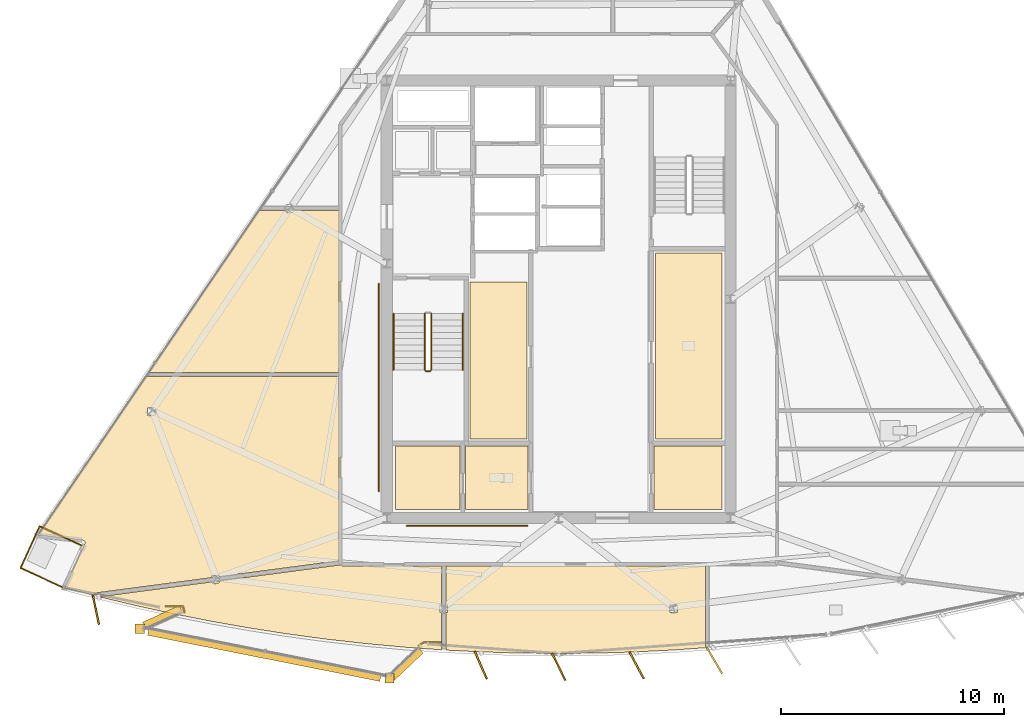
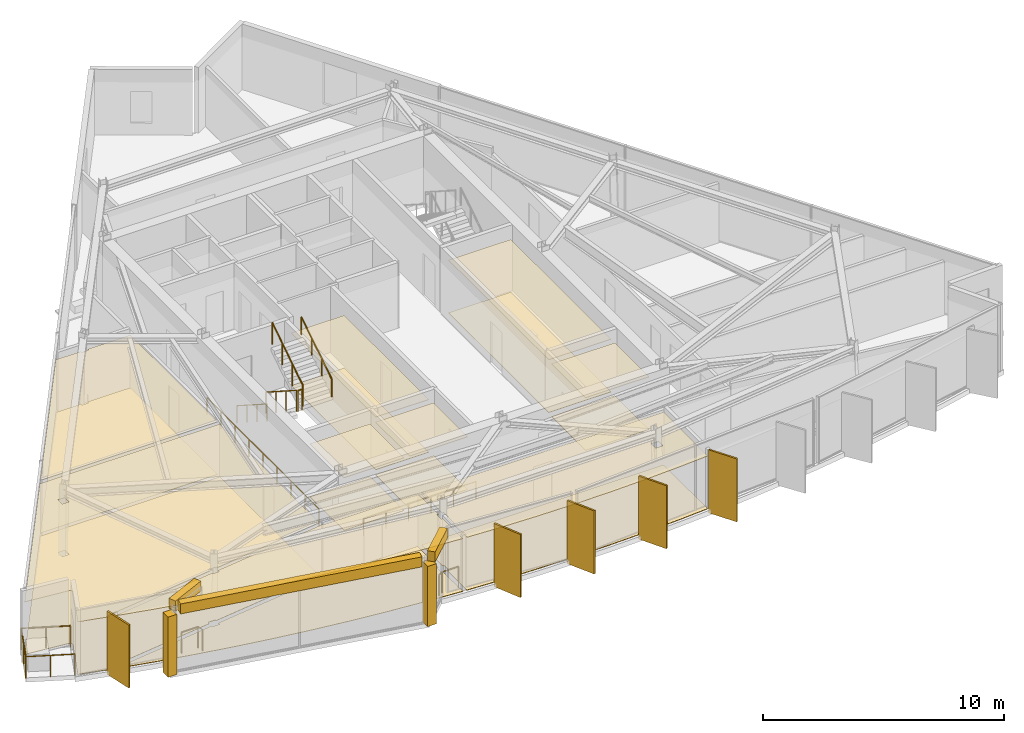
# One storey, part 10 of 13: 23 coverings, 12 railings, 5 shading devices.
"""IFC4 building model written with IfcOpenShell, lengths in metres."""

from ifc_helpers import new_model, si_unit, direction, frame, origin, origin_2d, place, context, subcontext, project, spatial, polyline, rectangle, circle, outline, extrude, material, layer, layer_set, type_object, element, save


model = new_model("IFC4")

# Units and contexts
model_context = context("Model", 3, precision=1e-05, world=origin(), true_north=direction((0.0, 1.0)))
body_context = subcontext(model_context, "Body", "Model", "MODEL_VIEW")
ifc_project = project(units=[si_unit("LENGTHUNIT", "METRE"), si_unit("AREAUNIT", "SQUARE_METRE"), si_unit("VOLUMEUNIT", "CUBIC_METRE"), si_unit("PLANEANGLEUNIT", "RADIAN"), si_unit("MASSUNIT", "GRAM", prefix="KILO")], contexts=[model_context])

# Site, building, storey
site_placement = place(None, origin())
site = spatial("IfcSite", under=ifc_project, at=site_placement, CompositionType="ELEMENT")
building_placement = place(site_placement, origin())
building = spatial("IfcBuilding", under=site, at=building_placement, Name="Savorim Split Tower", CompositionType="ELEMENT")
storey_placement = place(building_placement, frame((0.0, 0.0, 276.0)))
storey = spatial("IfcBuildingStorey", under=building, at=storey_placement, Name="L73", CompositionType="ELEMENT", Elevation=276.0)

# Coverings
ifc_material_1 = material(Name="Mineral Fibre Acoustic Ceiling")
ifc_layer_1 = layer(ifc_material_1, 0.02490234375)
ifc_layer_set_1 = layer_set([ifc_layer_1], Name="COV-CEIL-25")
covering_type_1 = type_object("IfcCoveringType", Name="COV-CEIL-25", PredefinedType="CEILING", material=ifc_layer_set_1)
covering_1_placement = place(storey_placement, frame((0.0, 0.0, 2.669921875)))
element("IfcCovering", 1, at=covering_1_placement, inside=storey, type_object=covering_type_1, Name="L73 Community Laundry Room Acoustic Ceiling", PredefinedType="CEILING", context=body_context, shape_type="SweptSolid", body=[
    extrude(outline(polyline([(4.330078125, 2.469970703125), (4.330078125, -5.8701171875), (7.320068359375, -5.8701171875), (7.320068359375, 2.469970703125), (4.330078125, 2.469970703125)])), origin(), (0.0, 0.0, 1.0), 0.025146484375),
])
covering_2_placement = place(storey_placement, frame((0.0, 0.0, 2.669921875)))
element("IfcCovering", 2, at=covering_2_placement, inside=storey, type_object=covering_type_1, Name="L73 Quiet Study Room Acoustic Ceiling", PredefinedType="CEILING", context=body_context, shape_type="SweptSolid", body=[
    extrude(outline(polyline([(-3.969970703125, 1.169921875), (-3.969970703125, -5.8701171875), (-1.429931640625, -5.8701171875), (-1.429931640625, 1.169921875), (-3.969970703125, 1.169921875)])), origin(), (0.0, 0.0, 1.0), 0.025146484375),
])
covering_3_placement = place(storey_placement, frame((0.0, 0.0, 2.669921875)))
element("IfcCovering", 3, at=covering_3_placement, inside=storey, type_object=covering_type_1, Name="L73 Housekeeping Store Acoustic Ceiling", PredefinedType="CEILING", context=body_context, shape_type="SweptSolid", body=[
    extrude(outline(polyline([(-7.320068359375, -6.179931640625), (-7.320068359375, -9.02001953125), (-4.429931640625, -9.02001953125), (-4.429931640625, -6.179931640625), (-7.320068359375, -6.179931640625)])), origin(), (0.0, 0.0, 1.0), 0.025146484375),
])
covering_4_placement = place(storey_placement, frame((0.0, 0.0, 2.669921875)))
element("IfcCovering", 4, at=covering_4_placement, inside=storey, type_object=covering_type_1, Name="L73 Accessible WC Acoustic Ceiling", PredefinedType="CEILING", context=body_context, shape_type="SweptSolid", body=[
    extrude(outline(polyline([(-4.169921875, -6.179931640625), (-4.169921875, -9.02001953125), (-1.3798828125, -9.02001953125), (-1.3798828125, -6.179931640625), (-4.169921875, -6.179931640625)])), origin(), (0.0, 0.0, 1.0), 0.025146484375),
])
covering_5_placement = place(storey_placement, frame((0.0, 0.0, 2.669921875)))
element("IfcCovering", 5, at=covering_5_placement, inside=storey, type_object=covering_type_1, Name="L73 Core IT Server Room Acoustic Ceiling", PredefinedType="CEILING", context=body_context, shape_type="SweptSolid", body=[
    extrude(outline(polyline([(4.280029296875, -6.179931640625), (4.280029296875, -9.02001953125), (7.320068359375, -9.02001953125), (7.320068359375, -6.179931640625), (4.280029296875, -6.179931640625)])), origin(), (0.0, 0.0, 1.0), 0.025146484375),
])
covering_6_placement = place(storey_placement, frame((0.0, 0.0, 2.669921875)))
element("IfcCovering", 6, at=covering_6_placement, inside=storey, type_object=covering_type_1, Name="L73 Quiet Study Room Acoustic Ceiling", PredefinedType="CEILING", context=body_context, shape_type="SweptSolid", body=[
    extrude(outline(polyline([(-13.29638671875, 4.377197265625), (-13.391357421875, 4.377197265625), (-13.391357421875, 4.42138671875), (-18.35546875, -2.87548828125), (-9.840087890625, -2.87548828125), (-9.840087890625, 4.377197265625), (-11.88671875, 4.377197265625), (-11.88671875, 4.297119140625), (-12.215576171875, 4.297119140625), (-12.215576171875, 4.377197265625), (-13.29638671875, 4.377197265625)])), origin(), (0.0, 0.0, 1.0), 0.025146484375),
])
covering_7_placement = place(storey_placement, frame((0.0, 0.0, 2.669921875)))
element("IfcCovering", 7, at=covering_7_placement, inside=storey, type_object=covering_type_1, Name="L73 Co-Working Commons Acoustic Ceiling", PredefinedType="CEILING", context=body_context, shape_type="SweptSolid", body=[
    extrude(outline(polyline([(-21.21337890625, -10.5068359375), (-21.21337890625, -10.518798828125), (-21.214111328125, -10.530517578125), (-21.21630859375, -10.54248046875), (-21.2197265625, -10.5537109375), (-21.22412109375, -10.56494140625), (-22.125244140625, -12.526123046875), (-20.7880859375, -12.875732421875), (-20.802490234375, -12.7666015625), (-15.535888671875, -12.070556640625), (-15.535888671875, -11.9697265625), (-15.206787109375, -11.9697265625), (-15.206787109375, -12.027099609375), (-9.8515625, -11.319580078125), (-9.840087890625, -11.318115234375), (-9.840087890625, -3.065673828125), (-18.484619140625, -3.065673828125), (-23.3193359375, -10.172119140625), (-21.31982421875, -10.3955078125), (-21.30810546875, -10.3974609375), (-21.296630859375, -10.400390625), (-21.285400390625, -10.40478515625), (-21.274658203125, -10.409912109375), (-21.2646484375, -10.41650390625), (-21.255126953125, -10.423583984375), (-21.24658203125, -10.431884765625), (-21.23876953125, -10.44091796875), (-21.231689453125, -10.45068359375), (-21.225830078125, -10.4609375), (-21.22119140625, -10.471923828125), (-21.21728515625, -10.4833984375), (-21.21484375, -10.494873046875), (-21.21337890625, -10.5068359375)]), holes=[polyline([(-18.413818359375, -4.814208984375), (-18.084716796875, -4.814208984375), (-18.084716796875, -4.464111328125), (-18.413818359375, -4.464111328125), (-18.413818359375, -4.814208984375)])]), origin(), (0.0, 0.0, 1.0), 0.025146484375),
])
covering_8_placement = place(storey_placement, frame((0.0, 0.0, 2.669921875)))
element("IfcCovering", 8, at=covering_8_placement, inside=storey, type_object=covering_type_1, Name="L73 Communal Lounge Acoustic Ceiling", PredefinedType="CEILING", context=body_context, shape_type="SweptSolid", body=[
    extrude(outline(polyline([(-12.088623046875, -14.601806640625), (-10.37109375, -14.83154296875), (-8.649169921875, -15.026123046875), (-6.923583984375, -15.185546875), (-5.24658203125, -15.305908203125), (-5.24658203125, -13.631591796875), (-5.316162109375, -13.631591796875), (-5.316162109375, -13.28173828125), (-5.24658203125, -13.28173828125), (-5.24658203125, -11.5400390625), (-9.699951171875, -11.5400390625), (-9.713623046875, -11.539306640625), (-9.727294921875, -11.537353515625), (-9.740478515625, -11.533935546875), (-9.753662109375, -11.529296875), (-9.76611328125, -11.5234375), (-9.77783203125, -11.516357421875), (-9.788818359375, -11.50830078125), (-9.7939453125, -11.503662109375), (-15.206787109375, -12.21875), (-15.206787109375, -12.319580078125), (-15.535888671875, -12.319580078125), (-15.535888671875, -12.26220703125), (-20.58349609375, -12.92919921875), (-18.90087890625, -13.332763671875), (-17.2080078125, -13.7021484375), (-15.5078125, -14.036865234375), (-13.801025390625, -14.3369140625), (-12.088623046875, -14.601806640625)])), origin(), (0.0, 0.0, 1.0), 0.025146484375),
])
covering_9_placement = place(storey_placement, frame((0.0, 0.0, 2.669921875)))
element("IfcCovering", 9, at=covering_9_placement, inside=storey, type_object=covering_type_1, Name="L73 Quiet Study Room Acoustic Ceiling", PredefinedType="CEILING", context=body_context, shape_type="SweptSolid", body=[
    extrude(outline(polyline([(1.732666015625, -15.451171875), (3.46484375, -15.398193359375), (5.1953125, -15.3095703125), (6.56640625, -15.211181640625), (6.56640625, -11.5400390625), (-5.056640625, -11.5400390625), (-5.056640625, -13.28173828125), (-4.9873046875, -13.28173828125), (-4.9873046875, -13.631591796875), (-5.056640625, -13.631591796875), (-5.056640625, -15.26171875), (-5.056640625, -15.316650390625), (-3.46484375, -15.398193359375), (-1.732666015625, -15.451171875), (0.0, -15.468994140625), (1.732666015625, -15.451171875)]), holes=[polyline([(4.9873046875, -13.631591796875), (5.316162109375, -13.631591796875), (5.316162109375, -13.28173828125), (4.9873046875, -13.28173828125), (4.9873046875, -13.631591796875)])]), origin(), (0.0, 0.0, 1.0), 0.025146484375),
])
ifc_material_2 = material(Name="Porcelain Stoneware Flooring", Category="masonry")
ifc_layer_2 = layer(ifc_material_2, 0.02001953125)
ifc_layer_set_2 = layer_set([ifc_layer_2], Name="COV-FLOR-20")
covering_type_2 = type_object("IfcCoveringType", Name="COV-FLOR-20", PredefinedType="FLOORING", material=ifc_layer_set_2)
covering_10_placement = place(storey_placement, origin())
element("IfcCovering", 10, at=covering_10_placement, inside=storey, type_object=covering_type_2, Name="L73 Community Laundry Room Porcelain Flooring", PredefinedType="FLOORING", context=body_context, shape_type="SweptSolid", body=[
    extrude(outline(polyline([(4.330078125, 2.469970703125), (4.330078125, -5.8701171875), (7.320068359375, -5.8701171875), (7.320068359375, 2.469970703125), (4.330078125, 2.469970703125)])), origin(), (0.0, 0.0, 1.0), 0.02001953125),
])
covering_11_placement = place(storey_placement, origin())
element("IfcCovering", 11, at=covering_11_placement, inside=storey, type_object=covering_type_2, Name="L73 Quiet Study Room Porcelain Flooring", PredefinedType="FLOORING", context=body_context, shape_type="SweptSolid", body=[
    extrude(outline(polyline([(-3.969970703125, 1.169921875), (-3.969970703125, -5.8701171875), (-1.429931640625, -5.8701171875), (-1.429931640625, 1.169921875), (-3.969970703125, 1.169921875)])), origin(), (0.0, 0.0, 1.0), 0.02001953125),
])
covering_12_placement = place(storey_placement, origin())
element("IfcCovering", 12, at=covering_12_placement, inside=storey, type_object=covering_type_2, Name="L73 Housekeeping Store Porcelain Flooring", PredefinedType="FLOORING", context=body_context, shape_type="SweptSolid", body=[
    extrude(outline(polyline([(-7.320068359375, -6.179931640625), (-7.320068359375, -9.02001953125), (-4.429931640625, -9.02001953125), (-4.429931640625, -6.179931640625), (-7.320068359375, -6.179931640625)])), origin(), (0.0, 0.0, 1.0), 0.02001953125),
])
covering_13_placement = place(storey_placement, origin())
element("IfcCovering", 13, at=covering_13_placement, inside=storey, type_object=covering_type_2, Name="L73 Accessible WC Porcelain Flooring", PredefinedType="FLOORING", context=body_context, shape_type="SweptSolid", body=[
    extrude(outline(polyline([(-4.169921875, -6.179931640625), (-4.169921875, -9.02001953125), (-1.3798828125, -9.02001953125), (-1.3798828125, -6.179931640625), (-4.169921875, -6.179931640625)])), origin(), (0.0, 0.0, 1.0), 0.02001953125),
])
covering_14_placement = place(storey_placement, origin())
element("IfcCovering", 14, at=covering_14_placement, inside=storey, type_object=covering_type_2, Name="L73 Core IT Server Room Porcelain Flooring", PredefinedType="FLOORING", context=body_context, shape_type="SweptSolid", body=[
    extrude(outline(polyline([(4.280029296875, -6.179931640625), (4.280029296875, -9.02001953125), (7.320068359375, -9.02001953125), (7.320068359375, -6.179931640625), (4.280029296875, -6.179931640625)])), origin(), (0.0, 0.0, 1.0), 0.02001953125),
])
covering_15_placement = place(storey_placement, origin())
element("IfcCovering", 15, at=covering_15_placement, inside=storey, type_object=covering_type_2, Name="L73 Quiet Study Room Porcelain Flooring", PredefinedType="FLOORING", context=body_context, shape_type="SweptSolid", body=[
    extrude(outline(polyline([(-13.29638671875, 4.377197265625), (-13.391357421875, 4.377197265625), (-13.391357421875, 4.42138671875), (-18.35546875, -2.87548828125), (-9.840087890625, -2.87548828125), (-9.840087890625, 4.377197265625), (-11.88671875, 4.377197265625), (-11.88671875, 4.297119140625), (-12.215576171875, 4.297119140625), (-12.215576171875, 4.377197265625), (-13.29638671875, 4.377197265625)])), origin(), (0.0, 0.0, 1.0), 0.02001953125),
])
covering_16_placement = place(storey_placement, origin())
element("IfcCovering", 16, at=covering_16_placement, inside=storey, type_object=covering_type_2, Name="L73 Co-Working Commons Porcelain Flooring", PredefinedType="FLOORING", context=body_context, shape_type="SweptSolid", body=[
    extrude(outline(polyline([(-21.21337890625, -10.5068359375), (-21.21337890625, -10.518798828125), (-21.214111328125, -10.530517578125), (-21.21630859375, -10.54248046875), (-21.2197265625, -10.5537109375), (-21.22412109375, -10.56494140625), (-22.125244140625, -12.526123046875), (-20.7880859375, -12.875732421875), (-20.802490234375, -12.7666015625), (-15.535888671875, -12.070556640625), (-15.535888671875, -11.9697265625), (-15.206787109375, -11.9697265625), (-15.206787109375, -12.027099609375), (-9.8515625, -11.319580078125), (-9.840087890625, -11.318115234375), (-9.840087890625, -3.065673828125), (-18.484619140625, -3.065673828125), (-23.3193359375, -10.172119140625), (-21.31982421875, -10.3955078125), (-21.30810546875, -10.3974609375), (-21.296630859375, -10.400390625), (-21.285400390625, -10.40478515625), (-21.274658203125, -10.409912109375), (-21.2646484375, -10.41650390625), (-21.255126953125, -10.423583984375), (-21.24658203125, -10.431884765625), (-21.23876953125, -10.44091796875), (-21.231689453125, -10.45068359375), (-21.225830078125, -10.4609375), (-21.22119140625, -10.471923828125), (-21.21728515625, -10.4833984375), (-21.21484375, -10.494873046875), (-21.21337890625, -10.5068359375)]), holes=[polyline([(-18.413818359375, -4.814208984375), (-18.084716796875, -4.814208984375), (-18.084716796875, -4.464111328125), (-18.413818359375, -4.464111328125), (-18.413818359375, -4.814208984375)])]), origin(), (0.0, 0.0, 1.0), 0.02001953125),
])
covering_17_placement = place(storey_placement, origin())
element("IfcCovering", 17, at=covering_17_placement, inside=storey, type_object=covering_type_2, Name="L73 Communal Lounge Porcelain Flooring", PredefinedType="FLOORING", context=body_context, shape_type="SweptSolid", body=[
    extrude(outline(polyline([(-12.088623046875, -14.601806640625), (-10.37109375, -14.83154296875), (-8.649169921875, -15.026123046875), (-6.923583984375, -15.185546875), (-5.24658203125, -15.305908203125), (-5.24658203125, -13.631591796875), (-5.316162109375, -13.631591796875), (-5.316162109375, -13.28173828125), (-5.24658203125, -13.28173828125), (-5.24658203125, -11.5400390625), (-9.699951171875, -11.5400390625), (-9.713623046875, -11.539306640625), (-9.727294921875, -11.537353515625), (-9.740478515625, -11.533935546875), (-9.753662109375, -11.529296875), (-9.76611328125, -11.5234375), (-9.77783203125, -11.516357421875), (-9.788818359375, -11.50830078125), (-9.7939453125, -11.503662109375), (-15.206787109375, -12.21875), (-15.206787109375, -12.319580078125), (-15.535888671875, -12.319580078125), (-15.535888671875, -12.26220703125), (-20.58349609375, -12.92919921875), (-18.90087890625, -13.332763671875), (-17.2080078125, -13.7021484375), (-15.5078125, -14.036865234375), (-13.801025390625, -14.3369140625), (-12.088623046875, -14.601806640625)])), origin(), (0.0, 0.0, 1.0), 0.02001953125),
])
covering_18_placement = place(storey_placement, origin())
element("IfcCovering", 18, at=covering_18_placement, inside=storey, type_object=covering_type_2, Name="L73 Quiet Study Room Porcelain Flooring", PredefinedType="FLOORING", context=body_context, shape_type="SweptSolid", body=[
    extrude(outline(polyline([(1.732666015625, -15.451171875), (3.46484375, -15.398193359375), (5.1953125, -15.3095703125), (6.56640625, -15.211181640625), (6.56640625, -11.5400390625), (-5.056640625, -11.5400390625), (-5.056640625, -13.28173828125), (-4.9873046875, -13.28173828125), (-4.9873046875, -13.631591796875), (-5.056640625, -13.631591796875), (-5.056640625, -15.26171875), (-5.056640625, -15.316650390625), (-3.46484375, -15.398193359375), (-1.732666015625, -15.451171875), (0.0, -15.468994140625), (1.732666015625, -15.451171875)]), holes=[polyline([(4.9873046875, -13.631591796875), (5.316162109375, -13.631591796875), (5.316162109375, -13.28173828125), (4.9873046875, -13.28173828125), (4.9873046875, -13.631591796875)])]), origin(), (0.0, 0.0, 1.0), 0.02001953125),
])
ifc_material_3 = material(Name="White Porcelain Architectural Cladding")
ifc_layer_3 = layer(ifc_material_3, 0.139892578125)
ifc_layer_set_3 = layer_set([ifc_layer_3], Name="COV-FRM-WHITE")
covering_type_3 = type_object("IfcCoveringType", Name="COV-FRM-WHITE", PredefinedType="CLADDING", material=ifc_layer_set_3)
covering_19_placement = place(storey_placement, frame((0.0, 0.0, 3.080078125)))
element("IfcCovering", 19, at=covering_19_placement, inside=storey, type_object=covering_type_3, Name="L73 Cantilevered Lounge White Upper Cornice Band W", PredefinedType="CLADDING", context=body_context, shape_type="SweptSolid", body=[
    extrude(outline(polyline([(-16.992431640625, -13.326416015625), (-18.634765625, -14.06298828125), (-18.49560546875, -14.373291015625), (-16.853271484375, -13.636474609375), (-16.992431640625, -13.326416015625)])), origin(), (0.0, 0.0, 1.0), 0.510009765625),
])
covering_20_placement = place(storey_placement, frame((0.0, 0.0, 3.080078125)))
element("IfcCovering", 20, at=covering_20_placement, inside=storey, type_object=covering_type_3, Name="L73 Cantilevered Lounge White Upper Cornice Band F", PredefinedType="CLADDING", context=body_context, shape_type="SweptSolid", body=[
    extrude(outline(polyline([(-18.414306640625, -14.655517578125), (-8.013916015625, -16.717529296875), (-7.94775390625, -16.384033203125), (-18.34814453125, -14.322021484375), (-18.414306640625, -14.655517578125)])), origin(), (0.0, 0.0, 1.0), 0.510009765625),
])
covering_21_placement = place(storey_placement, frame((0.0, 0.0, 3.080078125)))
element("IfcCovering", 21, at=covering_21_placement, inside=storey, type_object=covering_type_3, Name="L73 Cantilevered Lounge White Upper Cornice Band E", PredefinedType="CLADDING", context=body_context, shape_type="SweptSolid", body=[
    extrude(outline(polyline([(-7.369140625, -16.68408203125), (-6.0625, -15.4462890625), (-6.29638671875, -15.199462890625), (-7.60302734375, -16.4375), (-7.369140625, -16.68408203125)])), origin(), (0.0, 0.0, 1.0), 0.510009765625),
])
covering_22_placement = place(storey_placement, frame((0.0, 0.0, 0.010009765625)))
element("IfcCovering", 22, at=covering_22_placement, inside=storey, type_object=covering_type_3, Name="L73 Cantilevered Lounge White Frame Corner Post 1", PredefinedType="CLADDING", context=body_context, shape_type="SweptSolid", body=[
    extrude(outline(polyline([(-18.973876953125, -14.572021484375), (-18.5537109375, -14.572021484375), (-18.5537109375, -14.15185546875), (-18.973876953125, -14.15185546875), (-18.973876953125, -14.572021484375)])), origin(), (0.0, 0.0, 1.0), 3.050048828125),
])
covering_23_placement = place(storey_placement, frame((0.0, 0.0, 0.010009765625)))
element("IfcCovering", 23, at=covering_23_placement, inside=storey, type_object=covering_type_3, Name="L73 Cantilevered Lounge White Frame Corner Post 2", PredefinedType="CLADDING", context=body_context, shape_type="SweptSolid", body=[
    extrude(outline(polyline([(-7.78857421875, -16.78955078125), (-7.36865234375, -16.78955078125), (-7.36865234375, -16.369384765625), (-7.78857421875, -16.369384765625), (-7.78857421875, -16.78955078125)])), origin(), (0.0, 0.0, 1.0), 3.050048828125),
])

# Railings
ifc_material_4 = material(Name="Galvanised Painted Steel Balustrade", Category="steel")
railing_type_1 = type_object("IfcRailingType", Name="RLG-BAL-1100", PredefinedType="BALUSTRADE", material=ifc_material_4)
railing_1_placement = place(storey_placement, frame((-17.609375, -13.34423828125, 0.0)))
element("IfcRailing", 24, at=railing_1_placement, inside=storey, type_object=railing_type_1, Name="L73 Cantilevered Lounge West Edge Closure Guard", PredefinedType="BALUSTRADE", context=body_context, shape_type="SweptSolid", body=[
    extrude(circle(Radius=0.02392578125, at=origin_2d()), frame((0.0, 0.0, 1.076171875), z_axis=(1.0, 0.0, 0.0), x_axis=(0.0, 1.0, 0.0)), (0.0, 0.0, 1.0), 0.780029296875),
    extrude(circle(Radius=0.02392578125, at=origin_2d()), frame((0.780029296875, 0.0, 1.076171875), z_axis=(0.240297760194, -0.970699225531, 0.0), x_axis=(0.970699225531, 0.240297760194, 0.0)), (0.0, 0.0, 1.0), 0.282470703125),
    extrude(circle(Radius=0.02099609375, at=origin_2d()), origin(), (0.0, 0.0, 1.0), 1.052001953125),
    extrude(circle(Radius=0.02099609375, at=origin_2d()), frame((0.780029296875, 0.0, 0.0)), (0.0, 0.0, 1.0), 1.052001953125),
    extrude(circle(Radius=0.02099609375, at=origin_2d()), frame((0.847900390625, -0.274169921875, 0.0)), (0.0, 0.0, 1.0), 1.052001953125),
])
railing_2_placement = place(storey_placement, frame((-6.2666015625, -15.10400390625, 0.0)))
element("IfcRailing", 25, at=railing_2_placement, inside=storey, type_object=railing_type_1, Name="L73 Cantilevered Lounge East Edge Closure Guard", PredefinedType="BALUSTRADE", context=body_context, shape_type="SweptSolid", body=[
    extrude(circle(Radius=0.02392578125, at=origin_2d()), frame((0.0, 0.0, 1.076171875), z_axis=(0.86357675765, 0.504217397208, 0.0), x_axis=(-0.504217397208, 0.86357675765, 0.0)), (0.0, 0.0, 1.0), 0.262939453125),
    extrude(circle(Radius=0.02392578125, at=origin_2d()), frame((0.22705078125, 0.132568359375, 1.076171875), z_axis=(1.0, 0.0, 0.0), x_axis=(0.0, 1.0, 0.0)), (0.0, 0.0, 1.0), 0.780029296875),
    extrude(circle(Radius=0.02099609375, at=origin_2d()), origin(), (0.0, 0.0, 1.0), 1.052001953125),
    extrude(circle(Radius=0.02099609375, at=origin_2d()), frame((0.22705078125, 0.132568359375, 0.0)), (0.0, 0.0, 1.0), 1.052001953125),
    extrude(circle(Radius=0.02099609375, at=origin_2d()), frame((1.007080078125, 0.132568359375, 0.0)), (0.0, 0.0, 1.0), 1.052001953125),
])
railing_3_placement = place(storey_placement, frame((-22.243896484375, -12.4970703125, 0.0)))
element("IfcRailing", 26, at=railing_3_placement, inside=storey, type_object=railing_type_1, Name="L73 Tree Balcony Guardrail SW-1", PredefinedType="BALUSTRADE", context=body_context, shape_type="SweptSolid", body=[
    extrude(circle(Radius=0.02392578125, at=origin_2d()), frame((0.0, 0.0, 1.076171875), z_axis=(-0.908662190505, 0.417532062898, 0.0), x_axis=(-0.417532062898, -0.908662190505, 0.0)), (0.0, 0.0, 1.0), 2.050048828125),
    extrude(circle(Radius=0.02099609375, at=origin_2d()), origin(), (0.0, 0.0, 1.0), 1.052001953125),
    extrude(circle(Radius=0.02099609375, at=origin_2d()), frame((-0.931396484375, 0.427978515625, 0.0)), (0.0, 0.0, 1.0), 1.052001953125),
    extrude(circle(Radius=0.02099609375, at=origin_2d()), frame((-1.86279296875, 0.85595703125, 0.0)), (0.0, 0.0, 1.0), 1.052001953125),
])
railing_4_placement = place(storey_placement, frame((-24.106689453125, -11.64111328125, 0.0)))
element("IfcRailing", 27, at=railing_4_placement, inside=storey, type_object=railing_type_1, Name="L73 Tree Balcony Guardrail SW-2", PredefinedType="BALUSTRADE", context=body_context, shape_type="SweptSolid", body=[
    extrude(circle(Radius=0.02392578125, at=origin_2d()), frame((0.0, 0.0, 1.076171875), z_axis=(0.417457885671, 0.908696271419, 0.0), x_axis=(-0.908696271419, 0.417457885671, 0.0)), (0.0, 0.0, 1.0), 2.0615234375),
    extrude(circle(Radius=0.02099609375, at=origin_2d()), origin(), (0.0, 0.0, 1.0), 1.052001953125),
    extrude(circle(Radius=0.02099609375, at=origin_2d()), frame((0.43017578125, 0.9365234375, 0.0)), (0.0, 0.0, 1.0), 1.052001953125),
    extrude(circle(Radius=0.02099609375, at=origin_2d()), frame((0.860595703125, 1.873291015625, 0.0)), (0.0, 0.0, 1.0), 1.052001953125),
])
railing_5_placement = place(storey_placement, frame((-23.24609375, -9.767822265625, 0.0)))
element("IfcRailing", 28, at=railing_5_placement, inside=storey, type_object=railing_type_1, Name="L73 Tree Balcony Guardrail SW-3", PredefinedType="BALUSTRADE", context=body_context, shape_type="SweptSolid", body=[
    extrude(circle(Radius=0.02392578125, at=origin_2d()), frame((0.0, 0.0, 1.076171875), z_axis=(0.908662190505, -0.417532062898, 0.0), x_axis=(0.417532062898, 0.908662190505, 0.0)), (0.0, 0.0, 1.0), 2.050048828125),
    extrude(circle(Radius=0.02099609375, at=origin_2d()), origin(), (0.0, 0.0, 1.0), 1.052001953125),
    extrude(circle(Radius=0.02099609375, at=origin_2d()), frame((0.931396484375, -0.427978515625, 0.0)), (0.0, 0.0, 1.0), 1.052001953125),
    extrude(circle(Radius=0.02099609375, at=origin_2d()), frame((1.86279296875, -0.85595703125, 0.0)), (0.0, 0.0, 1.0), 1.052001953125),
])
railing_type_2 = type_object("IfcRailingType", Name="RLG-HR-900", PredefinedType="HANDRAIL", material=ifc_material_4)
railing_6_placement = place(storey_placement, frame((-7.39990234375, -0.25, 0.179931640625)))
element("IfcRailing", 29, at=railing_6_placement, inside=storey, type_object=railing_type_2, Name="L73 ST-1 stair handrail 1", PredefinedType="HANDRAIL", context=body_context, shape_type="SweptSolid", body=[
    extrude(circle(Radius=0.02392578125, at=origin_2d()), frame((0.0, 0.0, 0.8759765625), z_axis=(0.0, -0.841162588446, 0.540782303519), x_axis=(1.0, 0.0, 0.0)), (0.0, 0.0, 1.0), 2.995849609375),
    extrude(circle(Radius=0.02099609375, at=origin_2d()), origin(), (0.0, 0.0, 1.0), 0.851806640625),
    extrude(circle(Radius=0.02099609375, at=origin_2d()), frame((0.0, -0.840087890625, 0.5400390625)), (0.0, 0.0, 1.0), 0.851806640625),
    extrude(circle(Radius=0.02099609375, at=origin_2d()), frame((0.0, -1.679931640625, 1.080078125)), (0.0, 0.0, 1.0), 0.851806640625),
    extrude(circle(Radius=0.02099609375, at=origin_2d()), frame((0.0, -2.52001953125, 1.6201171875)), (0.0, 0.0, 1.0), 0.851806640625),
])
railing_7_placement = place(storey_placement, frame((-4.300048828125, -2.77001953125, 1.97998046875)))
element("IfcRailing", 30, at=railing_7_placement, inside=storey, type_object=railing_type_2, Name="L73 ST-1 stair handrail 2", PredefinedType="HANDRAIL", context=body_context, shape_type="SweptSolid", body=[
    extrude(circle(Radius=0.02392578125, at=origin_2d()), frame((0.0, 0.0, 0.8759765625), z_axis=(0.0, 0.841162588446, 0.540782303519), x_axis=(-1.0, 0.0, 0.0)), (0.0, 0.0, 1.0), 2.995849609375),
    extrude(circle(Radius=0.02099609375, at=origin_2d()), origin(), (0.0, 0.0, 1.0), 0.851806640625),
    extrude(circle(Radius=0.02099609375, at=origin_2d()), frame((0.0, 0.840087890625, 0.5400390625)), (0.0, 0.0, 1.0), 0.851806640625),
    extrude(circle(Radius=0.02099609375, at=origin_2d()), frame((0.0, 1.679931640625, 1.080078125)), (0.0, 0.0, 1.0), 0.851806640625),
    extrude(circle(Radius=0.02099609375, at=origin_2d()), frame((0.0, 2.52001953125, 1.6201171875)), (0.0, 0.0, 1.0), 0.851806640625),
])
railing_8_placement = place(storey_placement, frame((-6.800048828125, -9.75, 0.0)))
element("IfcRailing", 31, at=railing_8_placement, inside=storey, type_object=railing_type_2, Name="L73 Corridor South Accessible Handrail", PredefinedType="HANDRAIL", context=body_context, shape_type="SweptSolid", body=[
    extrude(circle(Radius=0.02392578125, at=origin_2d()), frame((0.0, 0.0, 0.8759765625), z_axis=(1.0, 0.0, 0.0), x_axis=(0.0, 1.0, 0.0)), (0.0, 0.0, 1.0), 5.400146484375),
    extrude(circle(Radius=0.02099609375, at=origin_2d()), origin(), (0.0, 0.0, 1.0), 0.851806640625),
    extrude(circle(Radius=0.02099609375, at=origin_2d()), frame((1.080078125, 0.0, 0.0)), (0.0, 0.0, 1.0), 0.851806640625),
    extrude(circle(Radius=0.02099609375, at=origin_2d()), frame((2.16015625, 0.0, 0.0)), (0.0, 0.0, 1.0), 0.851806640625),
    extrude(circle(Radius=0.02099609375, at=origin_2d()), frame((3.239990234375, 0.0, 0.0)), (0.0, 0.0, 1.0), 0.851806640625),
    extrude(circle(Radius=0.02099609375, at=origin_2d()), frame((4.320068359375, 0.0, 0.0)), (0.0, 0.0, 1.0), 0.851806640625),
    extrude(circle(Radius=0.02099609375, at=origin_2d()), frame((5.400146484375, 0.0, 0.0)), (0.0, 0.0, 1.0), 0.851806640625),
])
railing_9_placement = place(storey_placement, frame((-8.050048828125, -8.199951171875, 0.0)))
element("IfcRailing", 32, at=railing_9_placement, inside=storey, type_object=railing_type_2, Name="L73 Corridor West Accessible Handrail", PredefinedType="HANDRAIL", context=body_context, shape_type="SweptSolid", body=[
    extrude(circle(Radius=0.02392578125, at=origin_2d()), frame((0.0, 0.0, 0.8759765625), z_axis=(0.0, 1.0, 0.0), x_axis=(-1.0, 0.0, 0.0)), (0.0, 0.0, 1.0), 9.300048828125),
    extrude(circle(Radius=0.02099609375, at=origin_2d()), origin(), (0.0, 0.0, 1.0), 0.851806640625),
    extrude(circle(Radius=0.02099609375, at=origin_2d()), frame((0.0, 1.16259765625, 0.0)), (0.0, 0.0, 1.0), 0.851806640625),
    extrude(circle(Radius=0.02099609375, at=origin_2d()), frame((0.0, 2.324951171875, 0.0)), (0.0, 0.0, 1.0), 0.851806640625),
    extrude(circle(Radius=0.02099609375, at=origin_2d()), frame((0.0, 3.487548828125, 0.0)), (0.0, 0.0, 1.0), 0.851806640625),
    extrude(circle(Radius=0.02099609375, at=origin_2d()), frame((0.0, 4.64990234375, 0.0)), (0.0, 0.0, 1.0), 0.851806640625),
    extrude(circle(Radius=0.02099609375, at=origin_2d()), frame((0.0, 5.8125, 0.0)), (0.0, 0.0, 1.0), 0.851806640625),
    extrude(circle(Radius=0.02099609375, at=origin_2d()), frame((0.0, 6.97509765625, 0.0)), (0.0, 0.0, 1.0), 0.851806640625),
    extrude(circle(Radius=0.02099609375, at=origin_2d()), frame((0.0, 8.137451171875, 0.0)), (0.0, 0.0, 1.0), 0.851806640625),
    extrude(circle(Radius=0.02099609375, at=origin_2d()), frame((0.0, 9.300048828125, 0.0)), (0.0, 0.0, 1.0), 0.851806640625),
])
railing_type_3 = type_object("IfcRailingType", Name="RLG-STG-1100", PredefinedType="BALUSTRADE", material=ifc_material_4)
railing_10_placement = place(storey_placement, frame((-6.0, -0.25, 0.179931640625)))
element("IfcRailing", 33, at=railing_10_placement, inside=storey, type_object=railing_type_3, Name="L73 ST-1 stair guard 1", PredefinedType="BALUSTRADE", context=body_context, shape_type="SweptSolid", body=[
    extrude(circle(Radius=0.02392578125, at=origin_2d()), frame((0.0, 0.0, 1.076171875), z_axis=(0.0, -0.841162588446, 0.540782303519), x_axis=(1.0, 0.0, 0.0)), (0.0, 0.0, 1.0), 2.995849609375),
    extrude(circle(Radius=0.02099609375, at=origin_2d()), origin(), (0.0, 0.0, 1.0), 1.052001953125),
    extrude(circle(Radius=0.02099609375, at=origin_2d()), frame((0.0, -0.840087890625, 0.5400390625)), (0.0, 0.0, 1.0), 1.052001953125),
    extrude(circle(Radius=0.02099609375, at=origin_2d()), frame((0.0, -1.679931640625, 1.080078125)), (0.0, 0.0, 1.0), 1.052001953125),
    extrude(circle(Radius=0.02099609375, at=origin_2d()), frame((0.0, -2.52001953125, 1.6201171875)), (0.0, 0.0, 1.0), 1.052001953125),
])
railing_11_placement = place(storey_placement, frame((-5.949951171875, -2.820068359375, 1.800048828125)))
element("IfcRailing", 34, at=railing_11_placement, inside=storey, type_object=railing_type_3, Name="L73 ST-1 stair guard 2", PredefinedType="BALUSTRADE", context=body_context, shape_type="SweptSolid", body=[
    extrude(circle(Radius=0.02392578125, at=origin_2d()), frame((0.0, 0.0, 1.076171875), z_axis=(1.0, 0.0, 0.0), x_axis=(0.0, 1.0, 0.0)), (0.0, 0.0, 1.0), 0.199951171875),
    extrude(circle(Radius=0.02099609375, at=origin_2d()), origin(), (0.0, 0.0, 1.0), 1.052001953125),
    extrude(circle(Radius=0.02099609375, at=origin_2d()), frame((0.199951171875, 0.0, 0.0)), (0.0, 0.0, 1.0), 1.052001953125),
])
railing_12_placement = place(storey_placement, frame((-5.699951171875, -2.77001953125, 1.97998046875)))
element("IfcRailing", 35, at=railing_12_placement, inside=storey, type_object=railing_type_3, Name="L73 ST-1 stair guard 3", PredefinedType="BALUSTRADE", context=body_context, shape_type="SweptSolid", body=[
    extrude(circle(Radius=0.02392578125, at=origin_2d()), frame((0.0, 0.0, 1.076171875), z_axis=(0.0, 0.841162588446, 0.540782303519), x_axis=(-1.0, 0.0, 0.0)), (0.0, 0.0, 1.0), 2.995849609375),
    extrude(circle(Radius=0.02099609375, at=origin_2d()), origin(), (0.0, 0.0, 1.0), 1.052001953125),
    extrude(circle(Radius=0.02099609375, at=origin_2d()), frame((0.0, 0.840087890625, 0.5400390625)), (0.0, 0.0, 1.0), 1.052001953125),
    extrude(circle(Radius=0.02099609375, at=origin_2d()), frame((0.0, 1.679931640625, 1.080078125)), (0.0, 0.0, 1.0), 1.052001953125),
    extrude(circle(Radius=0.02099609375, at=origin_2d()), frame((0.0, 2.52001953125, 1.6201171875)), (0.0, 0.0, 1.0), 1.052001953125),
])

# Shading devices
ifc_material_5 = material(Name="Terracotta Ceramic-Coated Aluminium Fin", Category="masonry")
shading_device_type = type_object("IfcShadingDeviceType", Name="SHD-FIN-1360", PredefinedType="USERDEFINED", material=ifc_material_5)
for number, where, z_axis, x_axis, name in (
    (36, (-20.73095703125, -13.5068359375, -0.2001953125), (0.0, 0.0, 1.0), (0.206721626106, -0.978399800337, 0.0), "L73 Sawtooth Shading Fin 01"),
    (37, (-3.489013671875, -15.99365234375, -0.2001953125), (0.0, 0.0, 1.0), (0.401230091723, -0.915977299662, 0.0), "L73 Sawtooth Shading Fin 06"),
    (38, (0.0, -16.06494140625, -0.2001953125), (0.0, 0.0, 1.0), (0.438371146789, -0.898794046299, 0.0), "L73 Sawtooth Shading Fin 07"),
    (39, (3.489013671875, -15.99365234375, -0.2001953125), (0.0, 0.0, 1.0), (0.474778051978, -0.880105562623, 0.0), "L73 Sawtooth Shading Fin 08"),
    (40, (6.972412109375, -15.779541015625, -0.2001953125), (0.0, 0.0, 1.0), (0.510391336723, -0.859942255851, 0.0), "L73 Sawtooth Shading Fin 09"),
):
    element("IfcShadingDevice", number, at=place(storey_placement, frame(where, z_axis=z_axis, x_axis=x_axis)), inside=storey, type_object=shading_device_type, Name=name, ObjectType="FIN", PredefinedType="USERDEFINED", context=body_context, shape_type="SweptSolid", body=[
        extrude(rectangle(XDim=1.360107421875, YDim=0.080078125, at=origin_2d()), origin(), (0.0, 0.0, 1.0), 3.199951171875),
    ])

save(model, "model.ifc")
